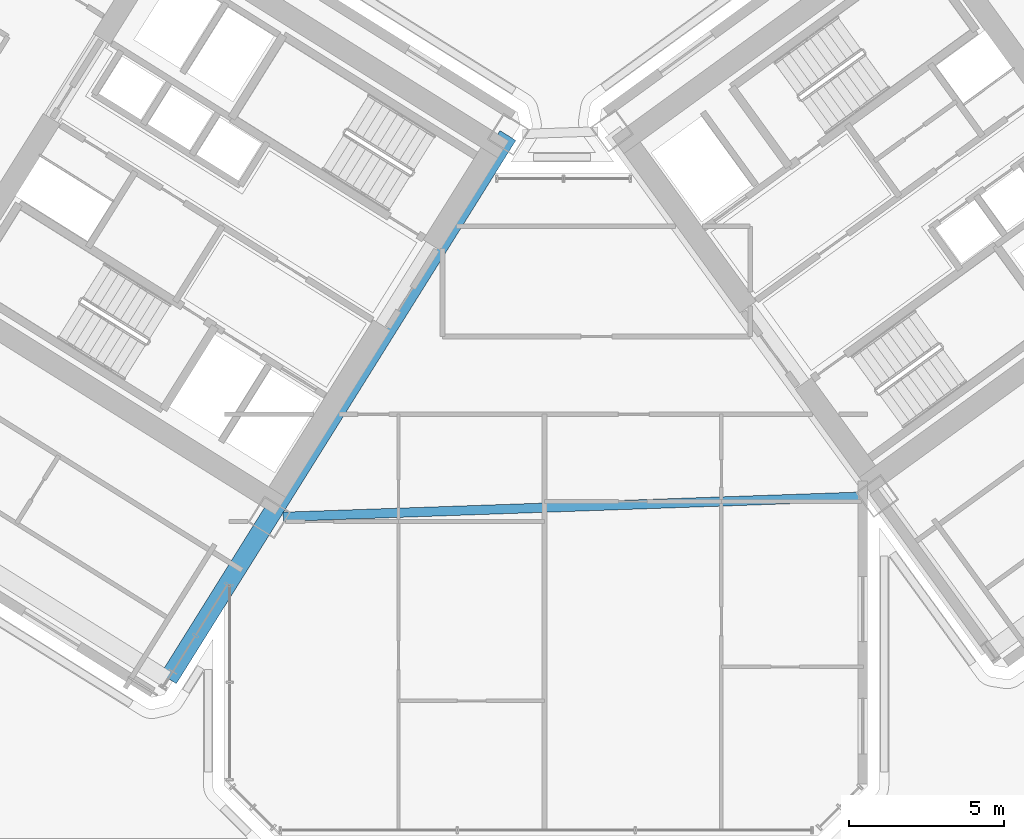
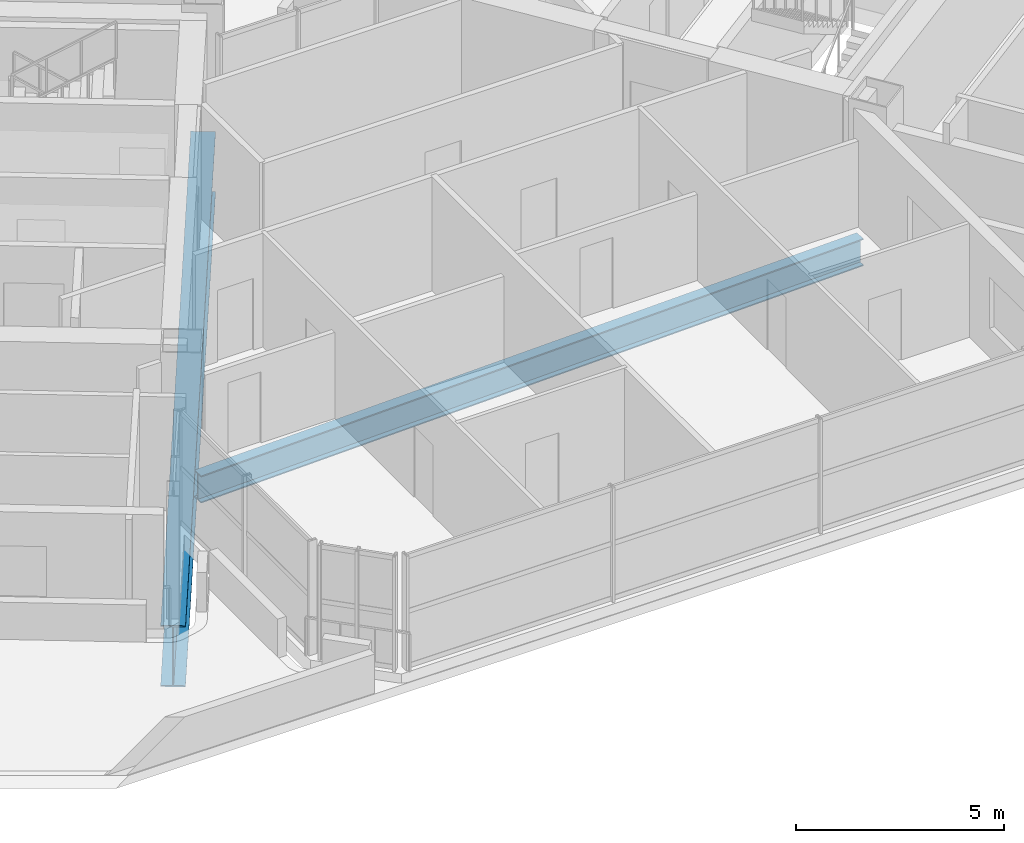
# One storey, part 8 of 28: 2 beams.
"""IFC4 building model written with IfcOpenShell, lengths in metres."""

from ifc_helpers import new_model, si_unit, direction, frame, origin, origin_2d, place, context, subcontext, project, spatial, i_section, extrude, source, transform, mapped, material, material_profile, profile_set, type_object, element, save


model = new_model("IFC4")

# Units and contexts
model_context = context("Model", 3, precision=1e-05, world=origin(), true_north=direction((0.0, 1.0)))
body_context = subcontext(model_context, "Body", "Model", "MODEL_VIEW")
ifc_project = project(units=[si_unit("LENGTHUNIT", "METRE"), si_unit("AREAUNIT", "SQUARE_METRE"), si_unit("VOLUMEUNIT", "CUBIC_METRE"), si_unit("PLANEANGLEUNIT", "RADIAN"), si_unit("MASSUNIT", "GRAM", prefix="KILO")], contexts=[model_context])

# Site, building, storey
site_placement = place(None, origin())
site = spatial("IfcSite", under=ifc_project, at=site_placement, CompositionType="ELEMENT")
building_placement = place(site_placement, origin())
building = spatial("IfcBuilding", under=site, at=building_placement, Name="Tlacorven Tower", CompositionType="ELEMENT")
storey_placement = place(building_placement, frame((0.0, 0.0, 24.0)))
storey = spatial("IfcBuildingStorey", under=building, at=storey_placement, Name="L05", CompositionType="ELEMENT", Elevation=24.0)

# Beams
ifc_material_1 = material(Name="Steel S460M", Category="steel")
ifc_material_profile_1 = material_profile(ifc_material_1, i_section(OverallWidth=0.60009765625, OverallDepth=1.800048828125, WebThickness=0.028076171875, FlangeThickness=0.0400390625, at=origin_2d()), Name="PG 1800X600X28X40")
ifc_profile_set_1 = profile_set([ifc_material_profile_1], Name="Steel S460M")
beam_type_1 = type_object("IfcBeamType", Name="BM-TRG-1800", PredefinedType="USERDEFINED", material=ifc_profile_set_1)
shared_shape_1 = source(origin(), body_context, "Body", "SweptSolid", [
    extrude(i_section(OverallWidth=0.60009765625, OverallDepth=1.800048828125, WebThickness=0.028076171875, FlangeThickness=0.0400390625, at=origin_2d()), origin(), (0.0, 0.0, 1.0), 20.72021484375),
])
beam_1_placement = place(storey_placement, frame((40.76171875, 24.4345703125, -1.35009765625), z_axis=(-0.529916326015, -0.848049932152, 0.0), x_axis=(0.848049932152, -0.529916326015, 0.0)))
element("IfcBeam", 1, at=beam_1_placement, inside=storey, type_object=beam_type_1, Name="L05 beam TG-L05-WB1", ObjectType="TRANSFER GIRDER", PredefinedType="USERDEFINED", context=body_context, shape_type="MappedRepresentation", body=[
    mapped(shared_shape_1, transform((0.0, 0.0, 0.0), scale=1.0)),
])
ifc_material_2 = material(Name="Steel S355J2", Category="steel")
ifc_material_profile_2 = material_profile(ifc_material_2, i_section(OverallWidth=0.300048828125, OverallDepth=0.800048828125, WebThickness=0.017578125, FlangeThickness=0.032958984375, at=origin_2d()), Name="HEB 800")
ifc_profile_set_2 = profile_set([ifc_material_profile_2], Name="Steel S355J2")
beam_type_2 = type_object("IfcBeamType", Name="BM-POD-800", PredefinedType="BEAM", material=ifc_profile_set_2)
shared_shape_2 = source(origin(), body_context, "Body", "SweptSolid", [
    extrude(i_section(OverallWidth=0.300048828125, OverallDepth=0.800048828125, WebThickness=0.017578125, FlangeThickness=0.032958984375, at=origin_2d()), origin(), (0.0, 0.0, 1.0), 18.771240234375),
])
beam_2_placement = place(storey_placement, frame((33.495849609375, 12.1025390625, -0.85009765625), z_axis=(0.999390514848, 0.034908434954, 0.0), x_axis=(-0.034908434954, 0.999390514848, 0.0)))
element("IfcBeam", 2, at=beam_2_placement, inside=storey, type_object=beam_type_2, Name="L05 Knuckle Link Girder 2", PredefinedType="BEAM", context=body_context, shape_type="MappedRepresentation", body=[
    mapped(shared_shape_2, transform((0.0, 0.0, 0.0), scale=1.0)),
])

save(model, "model.ifc")
